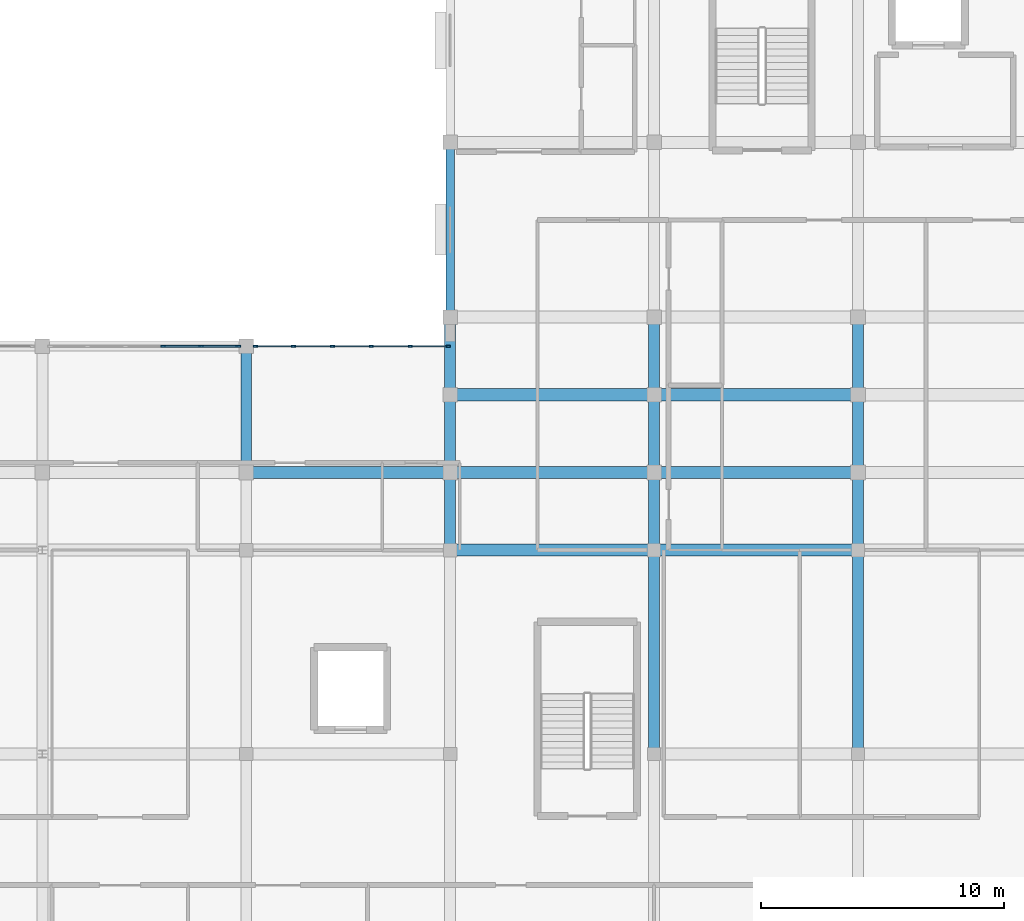
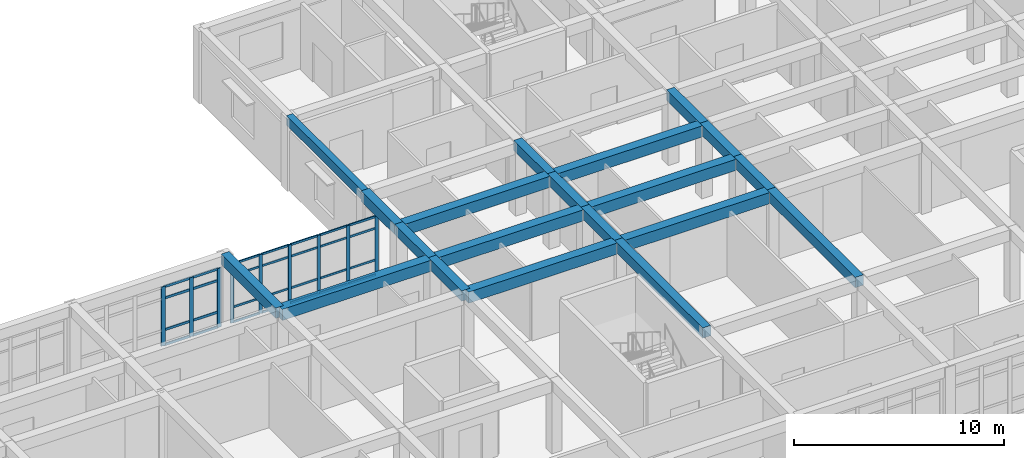
# One storey, part 23 of 77: 37 members, 20 beams, 2 elements without a shape of their own.
"""IFC4 building model written with IfcOpenShell, lengths in metres."""

from ifc_helpers import new_model, si_unit, direction, frame, origin, origin_2d, place, context, subcontext, project, spatial, rectangle, extrude, material, material_profile, profile_set, type_object, element, aggregate, save


model = new_model("IFC4")

# Units and contexts
model_context = context("Model", 3, precision=1e-05, world=origin(), true_north=direction((0.0, 1.0)))
body_context = subcontext(model_context, "Body", "Model", "MODEL_VIEW")
ifc_project = project(units=[si_unit("LENGTHUNIT", "METRE"), si_unit("AREAUNIT", "SQUARE_METRE"), si_unit("VOLUMEUNIT", "CUBIC_METRE"), si_unit("PLANEANGLEUNIT", "RADIAN"), si_unit("MASSUNIT", "GRAM", prefix="KILO")], contexts=[model_context])

# Site, building, storey
site_placement = place(None, origin())
site = spatial("IfcSite", under=ifc_project, at=site_placement, CompositionType="ELEMENT")
building_placement = place(site_placement, origin())
building = spatial("IfcBuilding", under=site, at=building_placement, Name="Varncliffe General Hospital", CompositionType="ELEMENT")
storey_placement = place(building_placement, frame((0.0, 0.0, 16.199951171875)))
storey = spatial("IfcBuildingStorey", under=building, at=storey_placement, Name="L03", CompositionType="ELEMENT", Elevation=16.199951171875)

# Beams
ifc_material_1 = material(Name="Concrete C35/45 (CSA A23.1 35 MPa)", Category="concrete")
ifc_material_profile_1 = material_profile(ifc_material_1, rectangle(XDim=0.5, YDim=0.64990234375, at=origin_2d()), Name="RC 500x650")
ifc_profile_set_1 = profile_set([ifc_material_profile_1], Name="Concrete C35/45 (CSA A23.1 35 MPa)")
beam_type_1 = type_object("IfcBeamType", Name="Beam B29 (Int RC 500x650)", PredefinedType="BEAM", material=ifc_profile_set_1)
beam_1_placement = place(storey_placement, frame((109.199951171875, 99.60009765625, 3.875), z_axis=(1.0, 0.0, 0.0), x_axis=(0.0, 1.0, 0.0)))
element("IfcBeam", 1, at=beam_1_placement, inside=storey, type_object=beam_type_1, Name="L03 Primary Beam B29-117", PredefinedType="BEAM", context=body_context, shape_type="SweptSolid", body=[
    extrude(rectangle(XDim=0.5, YDim=0.64990234375, at=origin_2d()), origin(), (0.0, 0.0, 1.0), 8.400146484375),
])
for number, where, z_axis, x_axis, name in (
    (2, (117.60009765625, 99.60009765625, 3.875), (1.0, 0.0, 0.0), (0.0, 1.0, 0.0), "L03 Primary Beam B29-118"),
    (3, (100.800048828125, 102.800048828125, 3.875), (1.0, 0.0, 0.0), (0.0, 1.0, 0.0), "L03 Primary Beam B29-137"),
):
    element("IfcBeam", number, at=place(storey_placement, frame(where, z_axis=z_axis, x_axis=x_axis)), inside=storey, type_object=beam_type_1, Name=name, PredefinedType="BEAM", context=body_context, shape_type="SweptSolid", body=[
        extrude(rectangle(XDim=0.5, YDim=0.64990234375, at=origin_2d()), origin(), (0.0, 0.0, 1.0), 8.39990234375),
    ])
beam_2_placement = place(storey_placement, frame((109.199951171875, 102.800048828125, 3.875), z_axis=(1.0, 0.0, 0.0), x_axis=(0.0, 1.0, 0.0)))
element("IfcBeam", 4, at=beam_2_placement, inside=storey, type_object=beam_type_1, Name="L03 Primary Beam B29-138", PredefinedType="BEAM", context=body_context, shape_type="SweptSolid", body=[
    extrude(rectangle(XDim=0.5, YDim=0.64990234375, at=origin_2d()), origin(), (0.0, 0.0, 1.0), 8.400146484375),
])
beam_3_placement = place(storey_placement, frame((117.60009765625, 102.800048828125, 3.875), z_axis=(1.0, 0.0, 0.0), x_axis=(0.0, 1.0, 0.0)))
element("IfcBeam", 5, at=beam_3_placement, inside=storey, type_object=beam_type_1, Name="L03 Primary Beam B29-139", PredefinedType="BEAM", context=body_context, shape_type="SweptSolid", body=[
    extrude(rectangle(XDim=0.5, YDim=0.64990234375, at=origin_2d()), origin(), (0.0, 0.0, 1.0), 8.39990234375),
])
beam_4_placement = place(storey_placement, frame((109.199951171875, 106.0, 3.875), z_axis=(1.0, 0.0, 0.0), x_axis=(0.0, 1.0, 0.0)))
element("IfcBeam", 6, at=beam_4_placement, inside=storey, type_object=beam_type_1, Name="L03 Primary Beam B29-154", PredefinedType="BEAM", context=body_context, shape_type="SweptSolid", body=[
    extrude(rectangle(XDim=0.5, YDim=0.64990234375, at=origin_2d()), origin(), (0.0, 0.0, 1.0), 8.400146484375),
])
beam_5_placement = place(storey_placement, frame((117.60009765625, 106.0, 3.875), z_axis=(1.0, 0.0, 0.0), x_axis=(0.0, 1.0, 0.0)))
element("IfcBeam", 7, at=beam_5_placement, inside=storey, type_object=beam_type_1, Name="L03 Primary Beam B29-155", PredefinedType="BEAM", context=body_context, shape_type="SweptSolid", body=[
    extrude(rectangle(XDim=0.5, YDim=0.64990234375, at=origin_2d()), origin(), (0.0, 0.0, 1.0), 8.39990234375),
])
ifc_material_profile_2 = material_profile(ifc_material_1, rectangle(XDim=0.449951171875, YDim=0.60009765625, at=origin_2d()), Name="RC 450x600")
ifc_profile_set_2 = profile_set([ifc_material_profile_2], Name="Concrete C35/45 (CSA A23.1 35 MPa)")
beam_type_2 = type_object("IfcBeamType", Name="Beam B47 (Int RC 450x600)", PredefinedType="BEAM", material=ifc_profile_set_2)
beam_6_placement = place(storey_placement, frame((100.800048828125, 102.800048828125, 3.900146484375), z_axis=(0.0, 1.0, 0.0), x_axis=(-1.0, 0.0, 0.0)))
element("IfcBeam", 8, at=beam_6_placement, inside=storey, type_object=beam_type_2, Name="L03 Primary Beam B47-317", PredefinedType="BEAM", context=body_context, shape_type="SweptSolid", body=[
    extrude(rectangle(XDim=0.449951171875, YDim=0.60009765625, at=origin_2d()), origin(), (0.0, 0.0, 1.0), 5.199951171875),
])
for number, where, z_axis, x_axis, name in (
    (9, (109.199951171875, 99.60009765625, 3.900146484375), (0.0, 1.0, 0.0), (-1.0, 0.0, 0.0), "L03 Primary Beam B47-321"),
    (10, (109.199951171875, 102.800048828125, 3.900146484375), (0.0, 1.0, 0.0), (-1.0, 0.0, 0.0), "L03 Primary Beam B47-322"),
    (11, (109.199951171875, 106.0, 3.900146484375), (0.0, 1.0, 0.0), (-1.0, 0.0, 0.0), "L03 Primary Beam B47-323"),
):
    element("IfcBeam", number, at=place(storey_placement, frame(where, z_axis=z_axis, x_axis=x_axis)), inside=storey, type_object=beam_type_2, Name=name, PredefinedType="BEAM", context=body_context, shape_type="SweptSolid", body=[
        extrude(rectangle(XDim=0.449951171875, YDim=0.60009765625, at=origin_2d()), origin(), (0.0, 0.0, 1.0), 3.199951171875),
    ])
beam_7_placement = place(storey_placement, frame((117.60009765625, 91.199951171875, 3.900146484375), z_axis=(0.0, 1.0, 0.0), x_axis=(-1.0, 0.0, 0.0)))
element("IfcBeam", 12, at=beam_7_placement, inside=storey, type_object=beam_type_2, Name="L03 Primary Beam B47-330", PredefinedType="BEAM", context=body_context, shape_type="SweptSolid", body=[
    extrude(rectangle(XDim=0.449951171875, YDim=0.60009765625, at=origin_2d()), origin(), (0.0, 0.0, 1.0), 8.400146484375),
])
for number, where, z_axis, x_axis, name in (
    (13, (117.60009765625, 99.60009765625, 3.900146484375), (0.0, 1.0, 0.0), (-1.0, 0.0, 0.0), "L03 Primary Beam B47-331"),
    (14, (117.60009765625, 102.800048828125, 3.900146484375), (0.0, 1.0, 0.0), (-1.0, 0.0, 0.0), "L03 Primary Beam B47-332"),
    (15, (117.60009765625, 106.0, 3.900146484375), (0.0, 1.0, 0.0), (-1.0, 0.0, 0.0), "L03 Primary Beam B47-333"),
):
    element("IfcBeam", number, at=place(storey_placement, frame(where, z_axis=z_axis, x_axis=x_axis)), inside=storey, type_object=beam_type_2, Name=name, PredefinedType="BEAM", context=body_context, shape_type="SweptSolid", body=[
        extrude(rectangle(XDim=0.449951171875, YDim=0.60009765625, at=origin_2d()), origin(), (0.0, 0.0, 1.0), 3.199951171875),
    ])
beam_8_placement = place(storey_placement, frame((126.0, 91.199951171875, 3.900146484375), z_axis=(0.0, 1.0, 0.0), x_axis=(-1.0, 0.0, 0.0)))
element("IfcBeam", 16, at=beam_8_placement, inside=storey, type_object=beam_type_2, Name="L03 Primary Beam B47-339", PredefinedType="BEAM", context=body_context, shape_type="SweptSolid", body=[
    extrude(rectangle(XDim=0.449951171875, YDim=0.60009765625, at=origin_2d()), origin(), (0.0, 0.0, 1.0), 8.400146484375),
])
for number, where, z_axis, x_axis, name in (
    (17, (126.0, 99.60009765625, 3.900146484375), (0.0, 1.0, 0.0), (-1.0, 0.0, 0.0), "L03 Primary Beam B47-340"),
    (18, (126.0, 102.800048828125, 3.900146484375), (0.0, 1.0, 0.0), (-1.0, 0.0, 0.0), "L03 Primary Beam B47-341"),
    (19, (126.0, 106.0, 3.900146484375), (0.0, 1.0, 0.0), (-1.0, 0.0, 0.0), "L03 Primary Beam B47-342"),
):
    element("IfcBeam", number, at=place(storey_placement, frame(where, z_axis=z_axis, x_axis=x_axis)), inside=storey, type_object=beam_type_2, Name=name, PredefinedType="BEAM", context=body_context, shape_type="SweptSolid", body=[
        extrude(rectangle(XDim=0.449951171875, YDim=0.60009765625, at=origin_2d()), origin(), (0.0, 0.0, 1.0), 3.199951171875),
    ])

# Curtain wall, members
ifc_material_2 = material(Name="Triple low-E argon insulated vision glazing", Category="glass")
curtain_wall_type_1 = type_object("IfcCurtainWallType", Name="Unitised Glazed Curtain Wall CW73 (8022x3440)", PredefinedType="USERDEFINED", material=ifc_material_2)
curtain_wall_1_placement = place(storey_placement, origin())
curtain_wall_1 = element("IfcCurtainWall", 20, at=curtain_wall_1_placement, inside=storey, type_object=curtain_wall_type_1, Name="L03 Glazed Curtain Wall CW73-157", ObjectType="GLAZED CURTAIN WALL", PredefinedType="USERDEFINED")
ifc_material_3 = material(Name="Dark bronze thermally broken aluminium framing", Category="aluminium")
ifc_material_profile_3 = material_profile(ifc_material_3, rectangle(XDim=0.074951171875, YDim=0.179931640625, at=origin_2d()), Name="ALU 75x180")
ifc_profile_set_3 = profile_set([ifc_material_profile_3], Name="Dark bronze thermally broken aluminium framing")
member_type_1 = type_object("IfcMemberType", Name="Curtain Wall Mullion CM44 (ALU 75x180)", PredefinedType="MULLION", material=ifc_profile_set_3)
member_1_placement = place(storey_placement, frame((101.175537109375, 108.0, 0.0), z_axis=(0.0, 0.0, 1.0), x_axis=(0.0, 1.0, 0.0)))
member_1 = element("IfcMember", 21, at=member_1_placement, type_object=member_type_1, Name="CW73 mullion 1", PredefinedType="MULLION", context=body_context, shape_type="SweptSolid", body=[
    extrude(rectangle(XDim=0.074951171875, YDim=0.179931640625, at=origin_2d()), origin(), (0.0, 0.0, 1.0), 3.43994140625),
])
member_2_placement = place(storey_placement, frame((102.742431640625, 108.0, 0.0), z_axis=(0.0, 0.0, 1.0), x_axis=(0.0, 1.0, 0.0)))
member_2 = element("IfcMember", 22, at=member_2_placement, type_object=member_type_1, Name="CW73 mullion 2", PredefinedType="MULLION", context=body_context, shape_type="SweptSolid", body=[
    extrude(rectangle(XDim=0.074951171875, YDim=0.179931640625, at=origin_2d()), origin(), (0.0, 0.0, 1.0), 3.43994140625),
])
member_3_placement = place(storey_placement, frame((104.3466796875, 108.0, 0.0), z_axis=(0.0, 0.0, 1.0), x_axis=(0.0, 1.0, 0.0)))
member_3 = element("IfcMember", 23, at=member_3_placement, type_object=member_type_1, Name="CW73 mullion 3", PredefinedType="MULLION", context=body_context, shape_type="SweptSolid", body=[
    extrude(rectangle(XDim=0.074951171875, YDim=0.179931640625, at=origin_2d()), origin(), (0.0, 0.0, 1.0), 3.43994140625),
])
member_4_placement = place(storey_placement, frame((105.951171875, 108.0, 0.0), z_axis=(0.0, 0.0, 1.0), x_axis=(0.0, 1.0, 0.0)))
member_4 = element("IfcMember", 24, at=member_4_placement, type_object=member_type_1, Name="CW73 mullion 4", PredefinedType="MULLION", context=body_context, shape_type="SweptSolid", body=[
    extrude(rectangle(XDim=0.074951171875, YDim=0.179931640625, at=origin_2d()), origin(), (0.0, 0.0, 1.0), 3.43994140625),
])
member_5_placement = place(storey_placement, frame((107.5556640625, 108.0, 0.0), z_axis=(0.0, 0.0, 1.0), x_axis=(0.0, 1.0, 0.0)))
member_5 = element("IfcMember", 25, at=member_5_placement, type_object=member_type_1, Name="CW73 mullion 5", PredefinedType="MULLION", context=body_context, shape_type="SweptSolid", body=[
    extrude(rectangle(XDim=0.074951171875, YDim=0.179931640625, at=origin_2d()), origin(), (0.0, 0.0, 1.0), 3.43994140625),
])
member_6_placement = place(storey_placement, frame((109.12255859375, 108.0, 0.0), z_axis=(0.0, 0.0, 1.0), x_axis=(0.0, 1.0, 0.0)))
member_6 = element("IfcMember", 26, at=member_6_placement, type_object=member_type_1, Name="CW73 mullion 6", PredefinedType="MULLION", context=body_context, shape_type="SweptSolid", body=[
    extrude(rectangle(XDim=0.074951171875, YDim=0.179931640625, at=origin_2d()), origin(), (0.0, 0.0, 1.0), 3.43994140625),
])

curtain_wall_type_2 = type_object("IfcCurtainWallType", Name="Unitised Glazed Curtain Wall CW36 (7804x3440)", PredefinedType="USERDEFINED", material=ifc_material_2)
curtain_wall_2_placement = place(storey_placement, origin())
curtain_wall_2 = element("IfcCurtainWall", 27, at=curtain_wall_2_placement, inside=storey, type_object=curtain_wall_type_2, Name="L03 Glazed Curtain Wall CW36-156", ObjectType="GLAZED CURTAIN WALL", PredefinedType="USERDEFINED")
ifc_material_profile_4 = material_profile(ifc_material_3, rectangle(XDim=0.074951171875, YDim=0.219970703125, at=origin_2d()), Name="ALU 75x220")
ifc_profile_set_4 = profile_set([ifc_material_profile_4], Name="Dark bronze thermally broken aluminium framing")
member_type_2 = type_object("IfcMemberType", Name="Curtain Wall Mullion CM74 (ALU 75x220)", PredefinedType="MULLION", material=ifc_profile_set_4)
member_7_placement = place(storey_placement, frame((97.38037109375, 108.0, 0.0), z_axis=(0.0, 0.0, 1.0), x_axis=(0.0, 1.0, 0.0)))
member_7 = element("IfcMember", 28, at=member_7_placement, type_object=member_type_2, Name="CW36 mullion 4", PredefinedType="MULLION", context=body_context, shape_type="SweptSolid", body=[
    extrude(rectangle(XDim=0.074951171875, YDim=0.219970703125, at=origin_2d()), origin(), (0.0, 0.0, 1.0), 3.43994140625),
])
member_8_placement = place(storey_placement, frame((98.941162109375, 108.0, 0.0), z_axis=(0.0, 0.0, 1.0), x_axis=(0.0, 1.0, 0.0)))
member_8 = element("IfcMember", 29, at=member_8_placement, type_object=member_type_2, Name="CW36 mullion 5", PredefinedType="MULLION", context=body_context, shape_type="SweptSolid", body=[
    extrude(rectangle(XDim=0.074951171875, YDim=0.219970703125, at=origin_2d()), origin(), (0.0, 0.0, 1.0), 3.43994140625),
])
member_9_placement = place(storey_placement, frame((100.464599609375, 108.0, 0.0), z_axis=(0.0, 0.0, 1.0), x_axis=(0.0, 1.0, 0.0)))
member_9 = element("IfcMember", 30, at=member_9_placement, type_object=member_type_2, Name="CW36 mullion 6", PredefinedType="MULLION", context=body_context, shape_type="SweptSolid", body=[
    extrude(rectangle(XDim=0.074951171875, YDim=0.219970703125, at=origin_2d()), origin(), (0.0, 0.0, 1.0), 3.43994140625),
])

# Member
ifc_material_profile_5 = material_profile(ifc_material_3, rectangle(XDim=0.06005859375, YDim=0.1201171875, at=origin_2d()), Name="ALU 60x120")
ifc_profile_set_5 = profile_set([ifc_material_profile_5], Name="Dark bronze thermally broken aluminium framing")
member_type_3 = type_object("IfcMemberType", Name="Curtain Wall Transom CT14 (ALU 60x120)", PredefinedType="USERDEFINED", material=ifc_profile_set_5)
member_10_placement = place(storey_placement, frame((101.212890625, 108.0, 0.030029296875), z_axis=(1.0, 0.0, 0.0), x_axis=(0.0, 1.0, 0.0)))
member_10 = element("IfcMember", 31, at=member_10_placement, type_object=member_type_3, Name="CW73 transom 1.1", ObjectType="TRANSOM", PredefinedType="USERDEFINED", context=body_context, shape_type="SweptSolid", body=[
    extrude(rectangle(XDim=0.06005859375, YDim=0.1201171875, at=origin_2d()), origin(), (0.0, 0.0, 1.0), 1.491943359375),
])

member_11_placement = place(storey_placement, frame((101.212890625, 108.0, 0.900146484375), z_axis=(1.0, 0.0, 0.0), x_axis=(0.0, 1.0, 0.0)))
member_11 = element("IfcMember", 32, at=member_11_placement, type_object=member_type_3, Name="CW73 transom 1.2", ObjectType="TRANSOM", PredefinedType="USERDEFINED", context=body_context, shape_type="SweptSolid", body=[
    extrude(rectangle(XDim=0.06005859375, YDim=0.1201171875, at=origin_2d()), origin(), (0.0, 0.0, 1.0), 1.491943359375),
])

member_12_placement = place(storey_placement, frame((101.212890625, 108.0, 2.739990234375), z_axis=(1.0, 0.0, 0.0), x_axis=(0.0, 1.0, 0.0)))
member_12 = element("IfcMember", 33, at=member_12_placement, type_object=member_type_3, Name="CW73 transom 1.3", ObjectType="TRANSOM", PredefinedType="USERDEFINED", context=body_context, shape_type="SweptSolid", body=[
    extrude(rectangle(XDim=0.06005859375, YDim=0.1201171875, at=origin_2d()), origin(), (0.0, 0.0, 1.0), 1.491943359375),
])

member_13_placement = place(storey_placement, frame((101.212890625, 108.0, 3.41015625), z_axis=(1.0, 0.0, 0.0), x_axis=(0.0, 1.0, 0.0)))
member_13 = element("IfcMember", 34, at=member_13_placement, type_object=member_type_3, Name="CW73 transom 1.4", ObjectType="TRANSOM", PredefinedType="USERDEFINED", context=body_context, shape_type="SweptSolid", body=[
    extrude(rectangle(XDim=0.06005859375, YDim=0.1201171875, at=origin_2d()), origin(), (0.0, 0.0, 1.0), 1.491943359375),
])

member_14_placement = place(storey_placement, frame((102.77978515625, 108.0, 0.030029296875), z_axis=(1.0, 0.0, 0.0), x_axis=(0.0, 1.0, 0.0)))
member_14 = element("IfcMember", 35, at=member_14_placement, type_object=member_type_3, Name="CW73 transom 2.1", ObjectType="TRANSOM", PredefinedType="USERDEFINED", context=body_context, shape_type="SweptSolid", body=[
    extrude(rectangle(XDim=0.06005859375, YDim=0.1201171875, at=origin_2d()), origin(), (0.0, 0.0, 1.0), 1.529541015625),
])

member_15_placement = place(storey_placement, frame((102.77978515625, 108.0, 0.900146484375), z_axis=(1.0, 0.0, 0.0), x_axis=(0.0, 1.0, 0.0)))
member_15 = element("IfcMember", 36, at=member_15_placement, type_object=member_type_3, Name="CW73 transom 2.2", ObjectType="TRANSOM", PredefinedType="USERDEFINED", context=body_context, shape_type="SweptSolid", body=[
    extrude(rectangle(XDim=0.06005859375, YDim=0.1201171875, at=origin_2d()), origin(), (0.0, 0.0, 1.0), 1.529541015625),
])

member_16_placement = place(storey_placement, frame((102.77978515625, 108.0, 2.739990234375), z_axis=(1.0, 0.0, 0.0), x_axis=(0.0, 1.0, 0.0)))
member_16 = element("IfcMember", 37, at=member_16_placement, type_object=member_type_3, Name="CW73 transom 2.3", ObjectType="TRANSOM", PredefinedType="USERDEFINED", context=body_context, shape_type="SweptSolid", body=[
    extrude(rectangle(XDim=0.06005859375, YDim=0.1201171875, at=origin_2d()), origin(), (0.0, 0.0, 1.0), 1.529541015625),
])

member_17_placement = place(storey_placement, frame((102.77978515625, 108.0, 3.41015625), z_axis=(1.0, 0.0, 0.0), x_axis=(0.0, 1.0, 0.0)))
member_17 = element("IfcMember", 38, at=member_17_placement, type_object=member_type_3, Name="CW73 transom 2.4", ObjectType="TRANSOM", PredefinedType="USERDEFINED", context=body_context, shape_type="SweptSolid", body=[
    extrude(rectangle(XDim=0.06005859375, YDim=0.1201171875, at=origin_2d()), origin(), (0.0, 0.0, 1.0), 1.529541015625),
])

member_18_placement = place(storey_placement, frame((104.38427734375, 108.0, 0.030029296875), z_axis=(1.0, 0.0, 0.0), x_axis=(0.0, 1.0, 0.0)))
member_18 = element("IfcMember", 39, at=member_18_placement, type_object=member_type_3, Name="CW73 transom 3.1", ObjectType="TRANSOM", PredefinedType="USERDEFINED", context=body_context, shape_type="SweptSolid", body=[
    extrude(rectangle(XDim=0.06005859375, YDim=0.1201171875, at=origin_2d()), origin(), (0.0, 0.0, 1.0), 1.529541015625),
])

member_19_placement = place(storey_placement, frame((104.38427734375, 108.0, 0.900146484375), z_axis=(1.0, 0.0, 0.0), x_axis=(0.0, 1.0, 0.0)))
member_19 = element("IfcMember", 40, at=member_19_placement, type_object=member_type_3, Name="CW73 transom 3.2", ObjectType="TRANSOM", PredefinedType="USERDEFINED", context=body_context, shape_type="SweptSolid", body=[
    extrude(rectangle(XDim=0.06005859375, YDim=0.1201171875, at=origin_2d()), origin(), (0.0, 0.0, 1.0), 1.529541015625),
])

member_20_placement = place(storey_placement, frame((104.38427734375, 108.0, 2.739990234375), z_axis=(1.0, 0.0, 0.0), x_axis=(0.0, 1.0, 0.0)))
member_20 = element("IfcMember", 41, at=member_20_placement, type_object=member_type_3, Name="CW73 transom 3.3", ObjectType="TRANSOM", PredefinedType="USERDEFINED", context=body_context, shape_type="SweptSolid", body=[
    extrude(rectangle(XDim=0.06005859375, YDim=0.1201171875, at=origin_2d()), origin(), (0.0, 0.0, 1.0), 1.529541015625),
])

member_21_placement = place(storey_placement, frame((104.38427734375, 108.0, 3.41015625), z_axis=(1.0, 0.0, 0.0), x_axis=(0.0, 1.0, 0.0)))
member_21 = element("IfcMember", 42, at=member_21_placement, type_object=member_type_3, Name="CW73 transom 3.4", ObjectType="TRANSOM", PredefinedType="USERDEFINED", context=body_context, shape_type="SweptSolid", body=[
    extrude(rectangle(XDim=0.06005859375, YDim=0.1201171875, at=origin_2d()), origin(), (0.0, 0.0, 1.0), 1.529541015625),
])

member_22_placement = place(storey_placement, frame((105.98876953125, 108.0, 0.030029296875), z_axis=(1.0, 0.0, 0.0), x_axis=(0.0, 1.0, 0.0)))
member_22 = element("IfcMember", 43, at=member_22_placement, type_object=member_type_3, Name="CW73 transom 4.1", ObjectType="TRANSOM", PredefinedType="USERDEFINED", context=body_context, shape_type="SweptSolid", body=[
    extrude(rectangle(XDim=0.06005859375, YDim=0.1201171875, at=origin_2d()), origin(), (0.0, 0.0, 1.0), 1.529296875),
])

member_23_placement = place(storey_placement, frame((105.98876953125, 108.0, 0.900146484375), z_axis=(1.0, 0.0, 0.0), x_axis=(0.0, 1.0, 0.0)))
member_23 = element("IfcMember", 44, at=member_23_placement, type_object=member_type_3, Name="CW73 transom 4.2", ObjectType="TRANSOM", PredefinedType="USERDEFINED", context=body_context, shape_type="SweptSolid", body=[
    extrude(rectangle(XDim=0.06005859375, YDim=0.1201171875, at=origin_2d()), origin(), (0.0, 0.0, 1.0), 1.529296875),
])

member_24_placement = place(storey_placement, frame((105.98876953125, 108.0, 2.739990234375), z_axis=(1.0, 0.0, 0.0), x_axis=(0.0, 1.0, 0.0)))
member_24 = element("IfcMember", 45, at=member_24_placement, type_object=member_type_3, Name="CW73 transom 4.3", ObjectType="TRANSOM", PredefinedType="USERDEFINED", context=body_context, shape_type="SweptSolid", body=[
    extrude(rectangle(XDim=0.06005859375, YDim=0.1201171875, at=origin_2d()), origin(), (0.0, 0.0, 1.0), 1.529296875),
])

member_25_placement = place(storey_placement, frame((105.98876953125, 108.0, 3.41015625), z_axis=(1.0, 0.0, 0.0), x_axis=(0.0, 1.0, 0.0)))
member_25 = element("IfcMember", 46, at=member_25_placement, type_object=member_type_3, Name="CW73 transom 4.4", ObjectType="TRANSOM", PredefinedType="USERDEFINED", context=body_context, shape_type="SweptSolid", body=[
    extrude(rectangle(XDim=0.06005859375, YDim=0.1201171875, at=origin_2d()), origin(), (0.0, 0.0, 1.0), 1.529296875),
])

member_26_placement = place(storey_placement, frame((107.593017578125, 108.0, 0.030029296875), z_axis=(1.0, 0.0, 0.0), x_axis=(0.0, 1.0, 0.0)))
member_26 = element("IfcMember", 47, at=member_26_placement, type_object=member_type_3, Name="CW73 transom 5.1", ObjectType="TRANSOM", PredefinedType="USERDEFINED", context=body_context, shape_type="SweptSolid", body=[
    extrude(rectangle(XDim=0.06005859375, YDim=0.1201171875, at=origin_2d()), origin(), (0.0, 0.0, 1.0), 1.491943359375),
])

member_27_placement = place(storey_placement, frame((107.593017578125, 108.0, 0.900146484375), z_axis=(1.0, 0.0, 0.0), x_axis=(0.0, 1.0, 0.0)))
member_27 = element("IfcMember", 48, at=member_27_placement, type_object=member_type_3, Name="CW73 transom 5.2", ObjectType="TRANSOM", PredefinedType="USERDEFINED", context=body_context, shape_type="SweptSolid", body=[
    extrude(rectangle(XDim=0.06005859375, YDim=0.1201171875, at=origin_2d()), origin(), (0.0, 0.0, 1.0), 1.491943359375),
])

member_28_placement = place(storey_placement, frame((107.593017578125, 108.0, 2.739990234375), z_axis=(1.0, 0.0, 0.0), x_axis=(0.0, 1.0, 0.0)))
member_28 = element("IfcMember", 49, at=member_28_placement, type_object=member_type_3, Name="CW73 transom 5.3", ObjectType="TRANSOM", PredefinedType="USERDEFINED", context=body_context, shape_type="SweptSolid", body=[
    extrude(rectangle(XDim=0.06005859375, YDim=0.1201171875, at=origin_2d()), origin(), (0.0, 0.0, 1.0), 1.491943359375),
])

member_29_placement = place(storey_placement, frame((107.593017578125, 108.0, 3.41015625), z_axis=(1.0, 0.0, 0.0), x_axis=(0.0, 1.0, 0.0)))
member_29 = element("IfcMember", 50, at=member_29_placement, type_object=member_type_3, Name="CW73 transom 5.4", ObjectType="TRANSOM", PredefinedType="USERDEFINED", context=body_context, shape_type="SweptSolid", body=[
    extrude(rectangle(XDim=0.06005859375, YDim=0.1201171875, at=origin_2d()), origin(), (0.0, 0.0, 1.0), 1.491943359375),
])

aggregate(curtain_wall_1, [member_1, member_2, member_3, member_4, member_5, member_6, member_10, member_11, member_12, member_13, member_14, member_15, member_16, member_17, member_18, member_19, member_20, member_21, member_22, member_23, member_24, member_25, member_26, member_27, member_28, member_29])

ifc_material_profile_6 = material_profile(ifc_material_3, rectangle(XDim=0.06494140625, YDim=0.139892578125, at=origin_2d()), Name="ALU 65x140")
ifc_profile_set_6 = profile_set([ifc_material_profile_6], Name="Dark bronze thermally broken aluminium framing")
member_type_4 = type_object("IfcMemberType", Name="Curtain Wall Transom CT69 (ALU 65x140)", PredefinedType="USERDEFINED", material=ifc_profile_set_6)
member_30_placement = place(storey_placement, frame((97.41796875, 108.0, 0.032470703125), z_axis=(1.0, 0.0, 0.0), x_axis=(0.0, 1.0, 0.0)))
member_30 = element("IfcMember", 51, at=member_30_placement, type_object=member_type_4, Name="CW36 transom 4.1", ObjectType="TRANSOM", PredefinedType="USERDEFINED", context=body_context, shape_type="SweptSolid", body=[
    extrude(rectangle(XDim=0.06494140625, YDim=0.139892578125, at=origin_2d()), origin(), (0.0, 0.0, 1.0), 1.48583984375),
])

member_31_placement = place(storey_placement, frame((97.41796875, 108.0, 0.900146484375), z_axis=(1.0, 0.0, 0.0), x_axis=(0.0, 1.0, 0.0)))
member_31 = element("IfcMember", 52, at=member_31_placement, type_object=member_type_4, Name="CW36 transom 4.2", ObjectType="TRANSOM", PredefinedType="USERDEFINED", context=body_context, shape_type="SweptSolid", body=[
    extrude(rectangle(XDim=0.06494140625, YDim=0.139892578125, at=origin_2d()), origin(), (0.0, 0.0, 1.0), 1.48583984375),
])

member_32_placement = place(storey_placement, frame((97.41796875, 108.0, 2.739990234375), z_axis=(1.0, 0.0, 0.0), x_axis=(0.0, 1.0, 0.0)))
member_32 = element("IfcMember", 53, at=member_32_placement, type_object=member_type_4, Name="CW36 transom 4.3", ObjectType="TRANSOM", PredefinedType="USERDEFINED", context=body_context, shape_type="SweptSolid", body=[
    extrude(rectangle(XDim=0.06494140625, YDim=0.139892578125, at=origin_2d()), origin(), (0.0, 0.0, 1.0), 1.48583984375),
])

member_33_placement = place(storey_placement, frame((97.41796875, 108.0, 3.407470703125), z_axis=(1.0, 0.0, 0.0), x_axis=(0.0, 1.0, 0.0)))
member_33 = element("IfcMember", 54, at=member_33_placement, type_object=member_type_4, Name="CW36 transom 4.4", ObjectType="TRANSOM", PredefinedType="USERDEFINED", context=body_context, shape_type="SweptSolid", body=[
    extrude(rectangle(XDim=0.06494140625, YDim=0.139892578125, at=origin_2d()), origin(), (0.0, 0.0, 1.0), 1.48583984375),
])

member_34_placement = place(storey_placement, frame((98.978759765625, 108.0, 0.032470703125), z_axis=(1.0, 0.0, 0.0), x_axis=(0.0, 1.0, 0.0)))
member_34 = element("IfcMember", 55, at=member_34_placement, type_object=member_type_4, Name="CW36 transom 5.1", ObjectType="TRANSOM", PredefinedType="USERDEFINED", context=body_context, shape_type="SweptSolid", body=[
    extrude(rectangle(XDim=0.06494140625, YDim=0.139892578125, at=origin_2d()), origin(), (0.0, 0.0, 1.0), 1.4482421875),
])

member_35_placement = place(storey_placement, frame((98.978759765625, 108.0, 0.900146484375), z_axis=(1.0, 0.0, 0.0), x_axis=(0.0, 1.0, 0.0)))
member_35 = element("IfcMember", 56, at=member_35_placement, type_object=member_type_4, Name="CW36 transom 5.2", ObjectType="TRANSOM", PredefinedType="USERDEFINED", context=body_context, shape_type="SweptSolid", body=[
    extrude(rectangle(XDim=0.06494140625, YDim=0.139892578125, at=origin_2d()), origin(), (0.0, 0.0, 1.0), 1.4482421875),
])

member_36_placement = place(storey_placement, frame((98.978759765625, 108.0, 2.739990234375), z_axis=(1.0, 0.0, 0.0), x_axis=(0.0, 1.0, 0.0)))
member_36 = element("IfcMember", 57, at=member_36_placement, type_object=member_type_4, Name="CW36 transom 5.3", ObjectType="TRANSOM", PredefinedType="USERDEFINED", context=body_context, shape_type="SweptSolid", body=[
    extrude(rectangle(XDim=0.06494140625, YDim=0.139892578125, at=origin_2d()), origin(), (0.0, 0.0, 1.0), 1.4482421875),
])

member_37_placement = place(storey_placement, frame((98.978759765625, 108.0, 3.407470703125), z_axis=(1.0, 0.0, 0.0), x_axis=(0.0, 1.0, 0.0)))
member_37 = element("IfcMember", 58, at=member_37_placement, type_object=member_type_4, Name="CW36 transom 5.4", ObjectType="TRANSOM", PredefinedType="USERDEFINED", context=body_context, shape_type="SweptSolid", body=[
    extrude(rectangle(XDim=0.06494140625, YDim=0.139892578125, at=origin_2d()), origin(), (0.0, 0.0, 1.0), 1.4482421875),
])

aggregate(curtain_wall_2, [member_7, member_8, member_9, member_30, member_31, member_32, member_33, member_34, member_35, member_36, member_37])

# Beam
ifc_material_profile_7 = material_profile(ifc_material_1, rectangle(XDim=0.35009765625, YDim=0.550048828125, at=origin_2d()), Name="RC 350x550")
ifc_profile_set_7 = profile_set([ifc_material_profile_7], Name="Concrete C35/45 (CSA A23.1 35 MPa)")
beam_type_3 = type_object("IfcBeamType", Name="Spandrel SP20 (Ext RC 350x550)", PredefinedType="SPANDREL", material=ifc_profile_set_7)
beam_9_placement = place(storey_placement, frame((109.199951171875, 109.199951171875, 3.925048828125), z_axis=(0.0, 1.0, 0.0), x_axis=(-1.0, 0.0, 0.0)))
element("IfcBeam", 59, at=beam_9_placement, inside=storey, type_object=beam_type_3, Name="L03 Spandrel Beam SP20-324", PredefinedType="SPANDREL", context=body_context, shape_type="SweptSolid", body=[
    extrude(rectangle(XDim=0.35009765625, YDim=0.550048828125, at=origin_2d()), origin(), (0.0, 0.0, 1.0), 7.199951171875),
])

save(model, "model.ifc")
